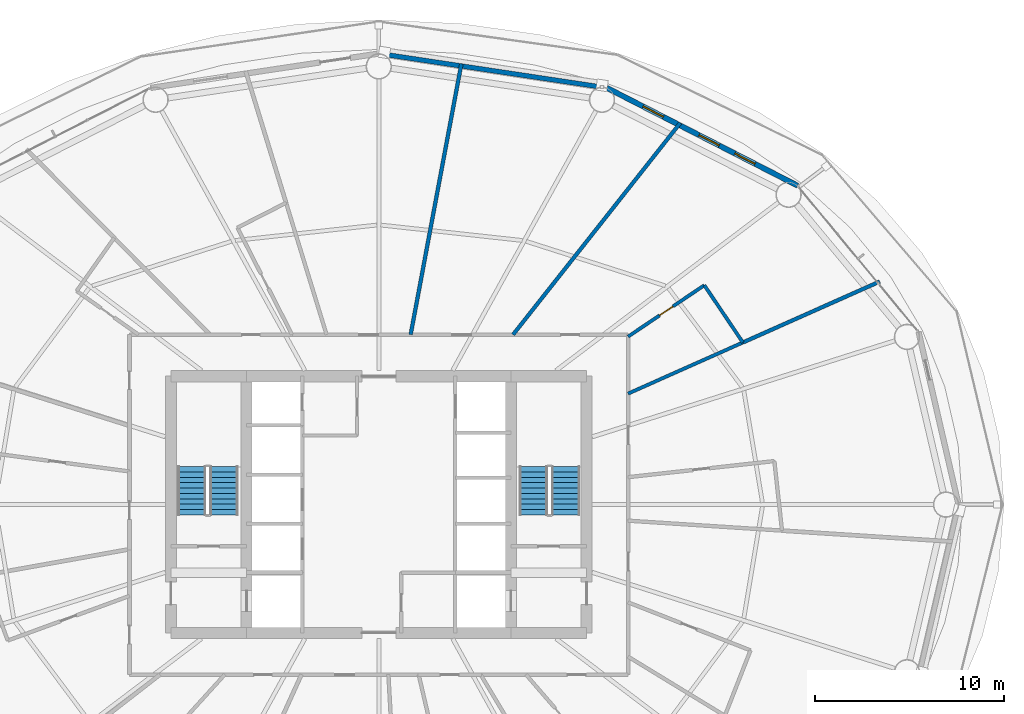
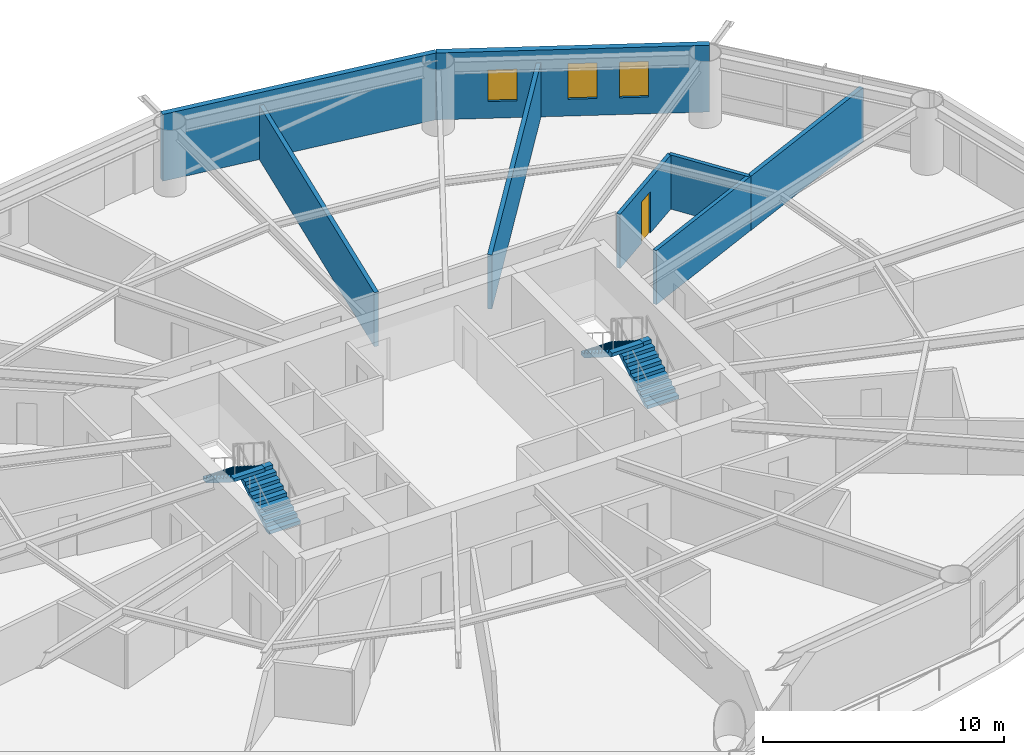
# One storey, part 23 of 26: 8 walls, 4 stair flights, 3 windows, 1 door, 4 openings, 2 elements without a shape of their own.
"""IFC4 building model written with IfcOpenShell, lengths in metres."""

import ifcopenshell
import ifcopenshell.guid

model = None  # the IFC model being written
_history = None  # IfcOwnerHistory: only IFC2X3 demands one
_inside = {}  # id of a spatial element -> (the spatial element, [elements in it])
_under = {}  # id of a project, library or spatial element -> (it, [spatial elements below it])
_declared = {}  # id of a project -> (the project, [libraries it declares])
_typed = {}  # id of a type object -> (the type object, [elements of that type])
_made_of = {}  # id of a material, layer set ... -> (it, [elements and type objects made of it])


def new_model(schema):
    """Start an empty IFC model of exactly this schema.

    Asked for "IFC4X3", IfcOpenShell would pick the latest addendum, in which some entities
    have other attributes; the version numbers below select the first issue.
    IFC2X3 requires an IfcOwnerHistory on every rooted entity: one is made here for all.
    """
    global model, _history
    if schema == "IFC4X3":
        model = ifcopenshell.file(schema_version=(4, 3, 0, 0))
    else:
        model = ifcopenshell.file(schema=schema)
    _inside.clear()
    _under.clear()
    _declared.clear()
    _typed.clear()
    _made_of.clear()
    _history = None
    if model.schema == "IFC2X3":
        org = make("IfcOrganization", Name="unknown")
        user = make(
            "IfcPersonAndOrganization",
            ThePerson=make("IfcPerson", FamilyName="unknown"),
            TheOrganization=org,
        )
        app = make(
            "IfcApplication",
            ApplicationDeveloper=org,
            Version="unknown",
            ApplicationFullName="unknown",
            ApplicationIdentifier="unknown",
        )
        _history = make(
            "IfcOwnerHistory",
            OwningUser=user,
            OwningApplication=app,
            ChangeAction="ADDED",
            CreationDate=0,
        )
    return model


def make(cls, **values):
    """One entity of the class cls with the attributes given. An attribute that is None is left unset."""
    return model.create_entity(
        cls, **{name: value for name, value in values.items() if value is not None}
    )


def rooted(cls, **values):
    """An entity with a GlobalId (a new one), such as an element, a storey or a relation."""
    return make(cls, GlobalId=ifcopenshell.guid.new(), OwnerHistory=_history, **values)


def si_unit(unit_type, name, prefix=None):
    """IfcSIUnit, for example si_unit("LENGTHUNIT", "METRE", prefix="MILLI")."""
    return make("IfcSIUnit", UnitType=unit_type, Prefix=prefix, Name=name)


def assignment(units):
    """IfcUnitAssignment: the units of a project."""
    return None if units is None else make("IfcUnitAssignment", Units=units)


def point(xyz):
    """IfcCartesianPoint."""
    return None if xyz is None else make("IfcCartesianPoint", Coordinates=xyz)


def direction(xyz):
    """IfcDirection."""
    return None if xyz is None else make("IfcDirection", DirectionRatios=xyz)


def frame(location, z_axis=None, x_axis=None):
    """IfcAxis2Placement3D, a coordinate frame: its origin and axes. An axis left out is left unset."""
    return make(
        "IfcAxis2Placement3D",
        Location=point(location),
        Axis=direction(z_axis),
        RefDirection=direction(x_axis),
    )


def frame_2d(location, x_axis=None):
    """IfcAxis2Placement2D, a coordinate frame in the plane: its origin and x axis."""
    return make(
        "IfcAxis2Placement2D", Location=point(location), RefDirection=direction(x_axis)
    )


def origin():
    """The frame at (0, 0, 0) with its axes left unset."""
    return frame((0.0, 0.0, 0.0))


def place(relative_to, where):
    """IfcLocalPlacement: puts the frame where relative to a parent placement (None: the world)."""
    return make(
        "IfcLocalPlacement", PlacementRelTo=relative_to, RelativePlacement=where
    )


def context(
    kind, dimensions, precision=None, world=None, true_north=None, identifier=None
):
    """IfcGeometricRepresentationContext, for example the 3D "Model" context."""
    return make(
        "IfcGeometricRepresentationContext",
        ContextIdentifier=identifier,
        ContextType=kind,
        CoordinateSpaceDimension=dimensions,
        Precision=precision,
        WorldCoordinateSystem=world,
        TrueNorth=true_north,
    )


def subcontext(parent, identifier, kind, view, scale=None):
    """IfcGeometricRepresentationSubContext, for example "Body" below "Model"."""
    return make(
        "IfcGeometricRepresentationSubContext",
        ContextIdentifier=identifier,
        ContextType=kind,
        ParentContext=parent,
        TargetScale=scale,
        TargetView=view,
    )


def project(units=None, contexts=None):
    """IfcProject with its units and contexts."""
    return rooted(
        "IfcProject",
        Name="project",
        RepresentationContexts=contexts,
        UnitsInContext=assignment(units),
    )


def spatial(cls, under=None, at=None, **own):
    """A site, building, storey or space (cls), placed at a placement, below another one or the project."""
    s = rooted(cls, ObjectPlacement=at, **own)
    if under is not None:
        _under.setdefault(under.id(), (under, []))[1].append(s)
    return s


def polyline(points):
    """IfcPolyline through the points."""
    return make("IfcPolyline", Points=[point(p) for p in points])


def profile(cls, at=None, kind="AREA", **sizes):
    """A parametric profile (cls). Its sizes go by their IFC names, for example OverallWidth=200.0."""
    return make(cls, ProfileType=kind, Position=at, **sizes)


def rectangle(**sizes):
    """IfcRectangleProfileDef."""
    return profile("IfcRectangleProfileDef", **sizes)


def outline(outer, holes=None, kind="AREA"):
    """IfcArbitraryClosedProfileDef: a profile drawn as a closed curve; with holes, ...WithVoids."""
    if holes is None:
        return make("IfcArbitraryClosedProfileDef", ProfileType=kind, OuterCurve=outer)
    return make(
        "IfcArbitraryProfileDefWithVoids",
        ProfileType=kind,
        OuterCurve=outer,
        InnerCurves=holes,
    )


def extrude(swept, where, along, depth):
    """IfcExtrudedAreaSolid: the profile swept, set in the frame where, extruded along a direction by depth."""
    return make(
        "IfcExtrudedAreaSolid",
        SweptArea=swept,
        Position=where,
        ExtrudedDirection=direction(along),
        Depth=depth,
    )


def shape(context_of_items, identifier, shape_type, items):
    """IfcShapeRepresentation: the items that make up one representation, for example the "Body"."""
    return make(
        "IfcShapeRepresentation",
        ContextOfItems=context_of_items,
        RepresentationIdentifier=identifier,
        RepresentationType=shape_type,
        Items=items,
    )


def material(Name=None, Category=None):
    """IfcMaterial."""
    return make("IfcMaterial", Name=Name, Category=Category)


def layer(
    of_material, thickness, ventilated=None, Name=None, Category=None, Priority=None
):
    """IfcMaterialLayer: one layer of a wall or slab, of a material (None: an air gap)."""
    return make(
        "IfcMaterialLayer",
        Material=of_material,
        LayerThickness=thickness,
        IsVentilated=ventilated,
        Name=Name,
        Category=Category,
        Priority=Priority,
    )


def layer_set(layers, Name=None):
    """IfcMaterialLayerSet."""
    return make("IfcMaterialLayerSet", MaterialLayers=layers, LayerSetName=Name)


def made_of(thing, what):
    """Note that an element or type object is made of a material, layer set ...; save() writes the relation."""
    if what is not None:
        _made_of.setdefault(what.id(), (what, []))[1].append(thing)
    return thing


def type_object(cls, material=None, **own):
    """A type object (cls), such as IfcWallType, which elements share."""
    return made_of(rooted(cls, **own), material)


def element(
    cls,
    number,
    at=None,
    inside=None,
    cuts=None,
    type_object=None,
    material=None,
    context=None,
    identifier="Body",
    shape_type=None,
    held_by="IfcProductDefinitionShape",
    body=None,
    shapes=None,
    **own,
):
    """One element of the class cls, such as IfcWall. Its Tag is "e" and its number.

    at: its placement. inside: the storey or other place that contains it. cuts: it is an
    opening in that element (IfcRelVoidsElement). A single representation is given by context,
    identifier, shape_type and body (its items); several are given by shapes. held_by: the class
    of the entity that holds the representations. save() writes the other relations.
    """
    e = rooted(cls, Tag="e%d" % number, ObjectPlacement=at, **own)
    if body is not None:
        shapes = [shape(context, identifier, shape_type, body)]
    if shapes is not None:
        e.Representation = make(held_by, Representations=shapes)
    if inside is not None:
        _inside.setdefault(inside.id(), (inside, []))[1].append(e)
    if cuts is not None:
        rooted(
            "IfcRelVoidsElement", RelatingBuildingElement=cuts, RelatedOpeningElement=e
        )
    if type_object is not None:
        _typed.setdefault(type_object.id(), (type_object, []))[1].append(e)
    return made_of(e, material)


def fill(opening, filler):
    """IfcRelFillsElement: the door or window that sits in an opening."""
    return rooted(
        "IfcRelFillsElement",
        RelatingOpeningElement=opening,
        RelatedBuildingElement=filler,
    )


def aggregate(whole, parts):
    """IfcRelAggregates: a whole, such as a stair, and the parts it consists of."""
    return rooted("IfcRelAggregates", RelatingObject=whole, RelatedObjects=parts)


def save(model, path):
    """Write the relations noted so far, then the file.

    IfcRelAggregates (storeys below a building ...), IfcRelContainedInSpatialStructure (elements
    in a storey), IfcRelDefinesByType, IfcRelAssociatesMaterial and IfcRelDeclares: one each for
    every whole, place, type object, material and project.
    """
    for whole, parts in _under.values():
        aggregate(whole, parts)
    for where, things in _inside.values():
        rooted(
            "IfcRelContainedInSpatialStructure",
            RelatedElements=things,
            RelatingStructure=where,
        )
    for kind, things in _typed.values():
        rooted("IfcRelDefinesByType", RelatedObjects=things, RelatingType=kind)
    for what, things in _made_of.values():
        rooted("IfcRelAssociatesMaterial", RelatedObjects=things, RelatingMaterial=what)
    for by, libraries in _declared.values():
        rooted("IfcRelDeclares", RelatingContext=by, RelatedDefinitions=libraries)
    model.write(path)


model = new_model("IFC4")

# Units and contexts
model_context = context("Model", 3, precision=1e-05, world=origin(), true_north=direction((0.0, 1.0)))
body_context = subcontext(model_context, "Body", "Model", "MODEL_VIEW")
ifc_project = project(units=[si_unit("LENGTHUNIT", "METRE"), si_unit("AREAUNIT", "SQUARE_METRE"), si_unit("VOLUMEUNIT", "CUBIC_METRE"), si_unit("PLANEANGLEUNIT", "RADIAN"), si_unit("MASSUNIT", "GRAM", prefix="KILO")], contexts=[model_context])

# Site, building, storey
site_placement = place(None, origin())
site = spatial("IfcSite", under=ifc_project, at=site_placement, CompositionType="ELEMENT")
building_placement = place(site_placement, origin())
building = spatial("IfcBuilding", under=site, at=building_placement, Name="Sarneth Arch Tower", CompositionType="ELEMENT")
storey_placement = place(building_placement, frame((0.0, 0.0, 49.800048828125)))
storey = spatial("IfcBuildingStorey", under=building, at=storey_placement, Name="L11", CompositionType="ELEMENT", Elevation=49.800048828125)

# Wall
ifc_material_1 = material(Name="Extruded terracotta rainscreen on Concrete C40/50 backing", Category="masonry")
ifc_layer_1 = layer(ifc_material_1, 0.25)
ifc_layer_set_1 = layer_set([ifc_layer_1], Name="Extruded terracotta rainscreen on Concrete C40/50 backing")
wall_type_1 = type_object("IfcWallType", Name="WALL-EXT-SPAND-250", PredefinedType="SOLIDWALL", material=ifc_layer_set_1)
wall_1_placement = place(storey_placement, frame((60.077880859375, 64.062255859375, 0.0), z_axis=(0.0, 0.0, 1.0), x_axis=(-0.988864835849, 0.148816452121, 0.0)))
element("IfcWall", 1, at=wall_1_placement, inside=storey, type_object=wall_type_1, Name="L11 Terracotta perimeter wall 04", PredefinedType="SOLIDWALL", context=body_context, shape_type="SweptSolid", body=[
    extrude(rectangle(XDim=12.2138671875, YDim=0.25, at=frame_2d((6.10693359375, 0.0))), origin(), (0.0, 0.0, 1.0), 3.3798828125),
])

# Wall, openings, windows
ifc_material_2 = material(Name="Extruded terracotta rainscreen on Concrete C40/50 backing", Category="masonry")
ifc_layer_2 = layer(ifc_material_2, 0.280029296875)
ifc_layer_set_2 = layer_set([ifc_layer_2], Name="Extruded terracotta rainscreen on Concrete C40/50 backing")
wall_type_2 = type_object("IfcWallType", Name="WALL-EXT-TERRA-280", PredefinedType="SOLIDWALL", material=ifc_layer_set_2)
wall_2_placement = place(storey_placement, frame((70.174072265625, 58.8857421875, 0.0), z_axis=(0.0, 0.0, 1.0), x_axis=(-0.889853976658, 0.456245438581, 0.0)))
wall_2 = element("IfcWall", 2, at=wall_2_placement, inside=storey, type_object=wall_type_2, Name="L11 Terracotta perimeter wall 03", PredefinedType="SOLIDWALL", context=body_context, shape_type="SweptSolid", body=[
    extrude(rectangle(XDim=11.345947265625, YDim=0.280029296875, at=frame_2d((5.6728515625, 0.0))), origin(), (0.0, 0.0, 1.0), 3.3798828125),
])
opening_1_placement = place(wall_2_placement, frame((2.53466796875, 0.0, 0.85009765625)))
opening_1 = element("IfcOpeningElement", 3, at=opening_1_placement, cuts=wall_2, Name="Opening W-09", PredefinedType="OPENING", context=body_context, shape_type="SweptSolid", body=[
    extrude(rectangle(XDim=1.199951171875, YDim=1.800048828125, at=frame_2d((0.60009765625, 0.89990234375))), frame((0.0, 0.14990234375, 0.0), z_axis=(0.0, -1.0, 0.0), x_axis=(1.0, 0.0, 0.0)), (0.0, 0.0, 1.0), 0.300048828125),
])
opening_2_placement = place(wall_2_placement, frame((4.663818359375, 0.0, 0.85009765625)))
opening_2 = element("IfcOpeningElement", 4, at=opening_2_placement, cuts=wall_2, Name="Opening W-09", PredefinedType="OPENING", context=body_context, shape_type="SweptSolid", body=[
    extrude(rectangle(XDim=1.199951171875, YDim=1.800048828125, at=frame_2d((0.60009765625, 0.89990234375))), frame((0.0, 0.14990234375, 0.0), z_axis=(0.0, -1.0, 0.0), x_axis=(1.0, 0.0, 0.0)), (0.0, 0.0, 1.0), 0.300048828125),
])
opening_3_placement = place(wall_2_placement, frame((7.991943359375, 0.0, 0.85009765625)))
opening_3 = element("IfcOpeningElement", 5, at=opening_3_placement, cuts=wall_2, Name="Opening W-10", PredefinedType="OPENING", context=body_context, shape_type="SweptSolid", body=[
    extrude(rectangle(XDim=1.199951171875, YDim=1.60009765625, at=frame_2d((0.60009765625, 0.800048828125))), frame((0.0, 0.14990234375, 0.0), z_axis=(0.0, -1.0, 0.0), x_axis=(1.0, 0.0, 0.0)), (0.0, 0.0, 1.0), 0.300048828125),
])
ifc_material_3 = material(Name="Thermally broken Aluminium 6063-T6 and low-e laminated IGU", Category="aluminium")
window_type_1 = type_object("IfcWindowType", Name="WIN-TWR-1200x1600", PartitioningType="SINGLE_PANEL", PredefinedType="WINDOW", material=ifc_material_3)
window_1_placement = place(opening_3_placement, origin())
window_1 = element("IfcWindow", 6, at=window_1_placement, inside=storey, type_object=window_type_1, Name="L11 Exterior window 03C", OverallHeight=1.60009765625, OverallWidth=1.199951171875, PartitioningType="SINGLE_PANEL", PredefinedType="WINDOW", context=body_context, shape_type="SweptSolid", body=[
    extrude(rectangle(XDim=1.199951171875, YDim=1.60009765625, at=frame_2d((0.60009765625, 0.800048828125))), frame((0.0, 0.030029296875, 0.0), z_axis=(0.0, -1.0, 0.0), x_axis=(1.0, 0.0, 0.0)), (0.0, 0.0, 1.0), 0.06005859375),
])
fill(opening_3, window_1)
ifc_material_4 = material(Name="Thermally broken Aluminium 6063-T6 and low-e laminated IGU", Category="aluminium")
window_type_2 = type_object("IfcWindowType", Name="WIN-TWR-1200x1800", PartitioningType="SINGLE_PANEL", PredefinedType="WINDOW", material=ifc_material_4)
window_2_placement = place(opening_1_placement, origin())
window_2 = element("IfcWindow", 7, at=window_2_placement, inside=storey, type_object=window_type_2, Name="L11 Exterior window 03A", OverallHeight=1.800048828125, OverallWidth=1.199951171875, PartitioningType="SINGLE_PANEL", PredefinedType="WINDOW", context=body_context, shape_type="SweptSolid", body=[
    extrude(rectangle(XDim=1.199951171875, YDim=1.800048828125, at=frame_2d((0.60009765625, 0.89990234375))), frame((0.0, 0.030029296875, 0.0), z_axis=(0.0, -1.0, 0.0), x_axis=(1.0, 0.0, 0.0)), (0.0, 0.0, 1.0), 0.06005859375),
])
fill(opening_1, window_2)
window_3_placement = place(opening_2_placement, origin())
window_3 = element("IfcWindow", 8, at=window_3_placement, inside=storey, type_object=window_type_2, Name="L11 Exterior window 03B", OverallHeight=1.800048828125, OverallWidth=1.199951171875, PartitioningType="SINGLE_PANEL", PredefinedType="WINDOW", context=body_context, shape_type="SweptSolid", body=[
    extrude(rectangle(XDim=1.199951171875, YDim=1.800048828125, at=frame_2d((0.60009765625, 0.89990234375))), frame((0.0, 0.030029296875, 0.0), z_axis=(0.0, -1.0, 0.0), x_axis=(1.0, 0.0, 0.0)), (0.0, 0.0, 1.0), 0.06005859375),
])
fill(opening_2, window_3)

# Wall
ifc_material_5 = material(Name="Moisture-resistant plumbing chase wall", Category="gypsum")
ifc_layer_3 = layer(ifc_material_5, 0.179931640625)
ifc_layer_set_3 = layer_set([ifc_layer_3], Name="Moisture-resistant plumbing chase wall")
wall_type_3 = type_object("IfcWallType", Name="WALL-PLUMB-180", PredefinedType="PLUMBINGWALL", material=ifc_layer_set_3)
wall_3_placement = place(storey_placement, frame((67.278076171875, 50.5830078125, 0.0), z_axis=(0.0, 0.0, 1.0), x_axis=(-0.913551093465, -0.406723984575, 0.0)))
element("IfcWall", 9, at=wall_3_placement, inside=storey, type_object=wall_type_3, Name="L11 Interior partition W-L11-TP-032", PredefinedType="PLUMBINGWALL", context=body_context, shape_type="SweptSolid", body=[
    extrude(rectangle(XDim=6.6533203125, YDim=0.179931640625, at=frame_2d((3.32666015625, 0.0))), origin(), (0.0, 0.0, 1.0), 2.739990234375),
])

# Wall, opening, door
wall_4_placement = place(storey_placement, frame((61.199951171875, 50.893310546875, 0.0), z_axis=(0.0, 0.0, 1.0), x_axis=(0.829362933151, 0.558710233587, 0.0)))
wall_4 = element("IfcWall", 10, at=wall_4_placement, inside=storey, type_object=wall_type_3, Name="L11 Interior partition W-L11-TP-028", PredefinedType="PLUMBINGWALL", context=body_context, shape_type="SweptSolid", body=[
    extrude(rectangle(XDim=4.867431640625, YDim=0.179931640625, at=frame_2d((2.43359375, 0.0))), origin(), (0.0, 0.0, 1.0), 2.739990234375),
])
opening_4_placement = place(wall_4_placement, frame((2.0087890625, 0.0, 0.0)))
opening_4 = element("IfcOpeningElement", 11, at=opening_4_placement, cuts=wall_4, Name="Opening ID-02", PredefinedType="OPENING", context=body_context, shape_type="SweptSolid", body=[
    extrude(rectangle(XDim=0.85009765625, YDim=2.10009765625, at=frame_2d((0.425048828125, 1.050048828125))), frame((0.0, 0.099853515625, 0.0), z_axis=(0.0, -1.0, 0.0), x_axis=(1.0, 0.0, 0.0)), (0.0, 0.0, 1.0), 0.199951171875),
])
ifc_material_6 = material(Name="Moisture-resistant bathroom timber door", Category="wood")
door_type = type_object("IfcDoorType", Name="DR-INT-850", OperationType="SINGLE_SWING_RIGHT", PredefinedType="DOOR", material=ifc_material_6)
door_placement = place(opening_4_placement, origin())
door = element("IfcDoor", 12, at=door_placement, inside=storey, type_object=door_type, Name="L11 Interior door DR-L11-ENS-01", OperationType="SINGLE_SWING_RIGHT", OverallHeight=2.10009765625, OverallWidth=0.85009765625, PredefinedType="DOOR", context=body_context, shape_type="SweptSolid", body=[
    extrude(rectangle(XDim=0.85009765625, YDim=2.10009765625, at=frame_2d((0.425048828125, 1.050048828125))), frame((0.0, 0.02490234375, 0.0), z_axis=(0.0, -1.0, 0.0), x_axis=(1.0, 0.0, 0.0)), (0.0, 0.0, 1.0), 0.050048828125),
])
fill(opening_4, door)

# Walls
wall_5_placement = place(storey_placement, frame((65.23681640625, 53.61279296875, 0.0), z_axis=(0.0, 0.0, 1.0), x_axis=(0.558749555988, -0.829336441791, 0.0)))
element("IfcWall", 13, at=wall_5_placement, inside=storey, type_object=wall_type_3, Name="L11 Interior partition W-L11-TP-029", PredefinedType="PLUMBINGWALL", context=body_context, shape_type="SweptSolid", body=[
    extrude(rectangle(XDim=3.6533203125, YDim=0.179931640625, at=frame_2d((1.82666015625, 0.0))), origin(), (0.0, 0.0, 1.0), 2.739990234375),
])
ifc_material_7 = material(Name="Double steel-stud acoustic drywall", Category="steel")
ifc_layer_4 = layer(ifc_material_7, 0.199951171875)
ifc_layer_set_4 = layer_set([ifc_layer_4], Name="Double steel-stud acoustic drywall")
wall_type_4 = type_object("IfcWallType", Name="WALL-UNIT-200", PredefinedType="PARTITIONING", material=ifc_layer_set_4)
wall_6_placement = place(storey_placement, frame((52.375, 65.3427734375, 0.0), z_axis=(0.0, 0.0, 1.0), x_axis=(-0.184219844734, -0.982885063884, 0.0)))
element("IfcWall", 14, at=wall_6_placement, inside=storey, type_object=wall_type_4, Name="L11 Interior partition W-L11-TP-033", PredefinedType="PARTITIONING", context=body_context, shape_type="SweptSolid", body=[
    extrude(rectangle(XDim=14.592529296875, YDim=0.199951171875, at=frame_2d((7.29638671875, 0.0))), origin(), (0.0, 0.0, 1.0), 2.739990234375),
])
wall_7_placement = place(storey_placement, frame((63.96044921875, 62.203857421875, 0.0), z_axis=(0.0, 0.0, 1.0), x_axis=(-0.619889304847, -0.784689269543, 0.0)))
element("IfcWall", 15, at=wall_7_placement, inside=storey, type_object=wall_type_4, Name="L11 Interior partition W-L11-TP-030", PredefinedType="PARTITIONING", context=body_context, shape_type="SweptSolid", body=[
    extrude(rectangle(XDim=14.278076171875, YDim=0.199951171875, at=frame_2d((7.13916015625, 0.0))), origin(), (0.0, 0.0, 1.0), 2.739990234375),
])
wall_8_placement = place(storey_placement, frame((74.522705078125, 53.80859375, 0.0), z_axis=(0.0, 0.0, 1.0), x_axis=(-0.913542208968, -0.40674393964, 0.0)))
element("IfcWall", 16, at=wall_8_placement, inside=storey, type_object=wall_type_4, Name="L11 Interior partition W-L11-TP-031", PredefinedType="PARTITIONING", context=body_context, shape_type="SweptSolid", body=[
    extrude(rectangle(XDim=7.93017578125, YDim=0.199951171875, at=frame_2d((3.965087890625, 0.0))), origin(), (0.0, 0.0, 1.0), 2.739990234375),
])

# Stair, stair flights
ifc_material_8 = material(Name="Concrete C50/60", Category="concrete")
stair_type = type_object("IfcStairType", Name="STAIR-CORE-RC", PredefinedType="HALF_TURN_STAIR", material=ifc_material_8)
stair_1_placement = place(storey_placement, origin())
stair_1 = element("IfcStair", 17, at=stair_1_placement, inside=storey, type_object=stair_type, Name="L11 Core Exit Stair 1", PredefinedType="HALF_TURN_STAIR")
ifc_material_9 = material(Name="Concrete C50/60", Category="concrete")
stair_flight_type = type_object("IfcStairFlightType", Name="FLIGHT-RC-1500", PredefinedType="STRAIGHT", material=ifc_material_9)
stair_flight_1_placement = place(storey_placement, frame((39.800048828125, 41.449951171875, 0.0), z_axis=(0.0, 0.0, 1.0), x_axis=(0.0, 1.0, 0.0)))
stair_flight_1 = element("IfcStairFlight", 18, at=stair_flight_1_placement, type_object=stair_flight_type, Name="ST-1 flight 1", NumberOfRisers=10, NumberOfTreads=9, PredefinedType="STRAIGHT", RiserHeight=0.18, TreadLength=0.285, context=body_context, shape_type="SweptSolid", body=[
    extrude(outline(polyline([(0.0, 0.0), (0.0, 0.179931640625), (0.284912109375, 0.179931640625), (0.284912109375, 0.360107421875), (0.570068359375, 0.360107421875), (0.570068359375, 0.5400390625), (0.85498046875, 0.5400390625), (0.85498046875, 0.719970703125), (1.139892578125, 0.719970703125), (1.139892578125, 0.89990234375), (1.425048828125, 0.89990234375), (1.425048828125, 1.080078125), (1.7099609375, 1.080078125), (1.7099609375, 1.260009765625), (1.9951171875, 1.260009765625), (1.9951171875, 1.43994140625), (2.280029296875, 1.43994140625), (2.280029296875, 1.6201171875), (2.56494140625, 1.6201171875), (2.56494140625, 1.800048828125), (2.56494140625, 1.442626953125), (0.28076171875, 0.0), (0.0, 0.0)])), frame((0.0, 0.75, 0.0), z_axis=(0.0, -1.0, 0.0), x_axis=(1.0, 0.0, 0.0)), (0.0, 0.0, 1.0), 1.5),
])
stair_flight_2_placement = place(storey_placement, frame((38.10009765625, 44.014892578125, 1.800048828125), z_axis=(0.0, 0.0, 1.0), x_axis=(0.0, -1.0, 0.0)))
stair_flight_2 = element("IfcStairFlight", 19, at=stair_flight_2_placement, type_object=stair_flight_type, Name="ST-1 flight 2", NumberOfRisers=10, NumberOfTreads=9, PredefinedType="STRAIGHT", RiserHeight=0.18, TreadLength=0.285, context=body_context, shape_type="SweptSolid", body=[
    extrude(outline(polyline([(0.0, 0.0), (0.0, 0.179931640625), (0.284912109375, 0.179931640625), (0.284912109375, 0.360107421875), (0.570068359375, 0.360107421875), (0.570068359375, 0.5400390625), (0.85498046875, 0.5400390625), (0.85498046875, 0.719970703125), (1.139892578125, 0.719970703125), (1.139892578125, 0.89990234375), (1.425048828125, 0.89990234375), (1.425048828125, 1.080078125), (1.7099609375, 1.080078125), (1.7099609375, 1.260009765625), (1.9951171875, 1.260009765625), (1.9951171875, 1.43994140625), (2.280029296875, 1.43994140625), (2.280029296875, 1.6201171875), (2.56494140625, 1.6201171875), (2.56494140625, 1.800048828125), (2.56494140625, 1.442626953125), (0.28076171875, 0.0), (0.0, 0.0)])), frame((0.0, 0.75, 0.0), z_axis=(0.0, -1.0, 0.0), x_axis=(1.0, 0.0, 0.0)), (0.0, 0.0, 1.0), 1.5),
])
aggregate(stair_1, [stair_flight_1, stair_flight_2])

stair_2_placement = place(storey_placement, origin())
stair_2 = element("IfcStair", 20, at=stair_2_placement, inside=storey, type_object=stair_type, Name="L11 Core Exit Stair 2", PredefinedType="HALF_TURN_STAIR")
stair_flight_3_placement = place(storey_placement, frame((57.89990234375, 41.449951171875, 0.0), z_axis=(0.0, 0.0, 1.0), x_axis=(0.0, 1.0, 0.0)))
stair_flight_3 = element("IfcStairFlight", 21, at=stair_flight_3_placement, type_object=stair_flight_type, Name="ST-2 flight 1", NumberOfRisers=10, NumberOfTreads=9, PredefinedType="STRAIGHT", RiserHeight=0.18, TreadLength=0.285, context=body_context, shape_type="SweptSolid", body=[
    extrude(outline(polyline([(0.0, 0.0), (0.0, 0.179931640625), (0.284912109375, 0.179931640625), (0.284912109375, 0.360107421875), (0.570068359375, 0.360107421875), (0.570068359375, 0.5400390625), (0.85498046875, 0.5400390625), (0.85498046875, 0.719970703125), (1.139892578125, 0.719970703125), (1.139892578125, 0.89990234375), (1.425048828125, 0.89990234375), (1.425048828125, 1.080078125), (1.7099609375, 1.080078125), (1.7099609375, 1.260009765625), (1.9951171875, 1.260009765625), (1.9951171875, 1.43994140625), (2.280029296875, 1.43994140625), (2.280029296875, 1.6201171875), (2.56494140625, 1.6201171875), (2.56494140625, 1.800048828125), (2.56494140625, 1.442626953125), (0.28076171875, 0.0), (0.0, 0.0)])), frame((0.0, 0.75, 0.0), z_axis=(0.0, -1.0, 0.0), x_axis=(1.0, 0.0, 0.0)), (0.0, 0.0, 1.0), 1.5),
])
stair_flight_4_placement = place(storey_placement, frame((56.199951171875, 44.014892578125, 1.800048828125), z_axis=(0.0, 0.0, 1.0), x_axis=(0.0, -1.0, 0.0)))
stair_flight_4 = element("IfcStairFlight", 22, at=stair_flight_4_placement, type_object=stair_flight_type, Name="ST-2 flight 2", NumberOfRisers=10, NumberOfTreads=9, PredefinedType="STRAIGHT", RiserHeight=0.18, TreadLength=0.285, context=body_context, shape_type="SweptSolid", body=[
    extrude(outline(polyline([(0.0, 0.0), (0.0, 0.179931640625), (0.284912109375, 0.179931640625), (0.284912109375, 0.360107421875), (0.570068359375, 0.360107421875), (0.570068359375, 0.5400390625), (0.85498046875, 0.5400390625), (0.85498046875, 0.719970703125), (1.139892578125, 0.719970703125), (1.139892578125, 0.89990234375), (1.425048828125, 0.89990234375), (1.425048828125, 1.080078125), (1.7099609375, 1.080078125), (1.7099609375, 1.260009765625), (1.9951171875, 1.260009765625), (1.9951171875, 1.43994140625), (2.280029296875, 1.43994140625), (2.280029296875, 1.6201171875), (2.56494140625, 1.6201171875), (2.56494140625, 1.800048828125), (2.56494140625, 1.442626953125), (0.28076171875, 0.0), (0.0, 0.0)])), frame((0.0, 0.75, 0.0), z_axis=(0.0, -1.0, 0.0), x_axis=(1.0, 0.0, 0.0)), (0.0, 0.0, 1.0), 1.5),
])
aggregate(stair_2, [stair_flight_3, stair_flight_4])

save(model, "model.ifc")
